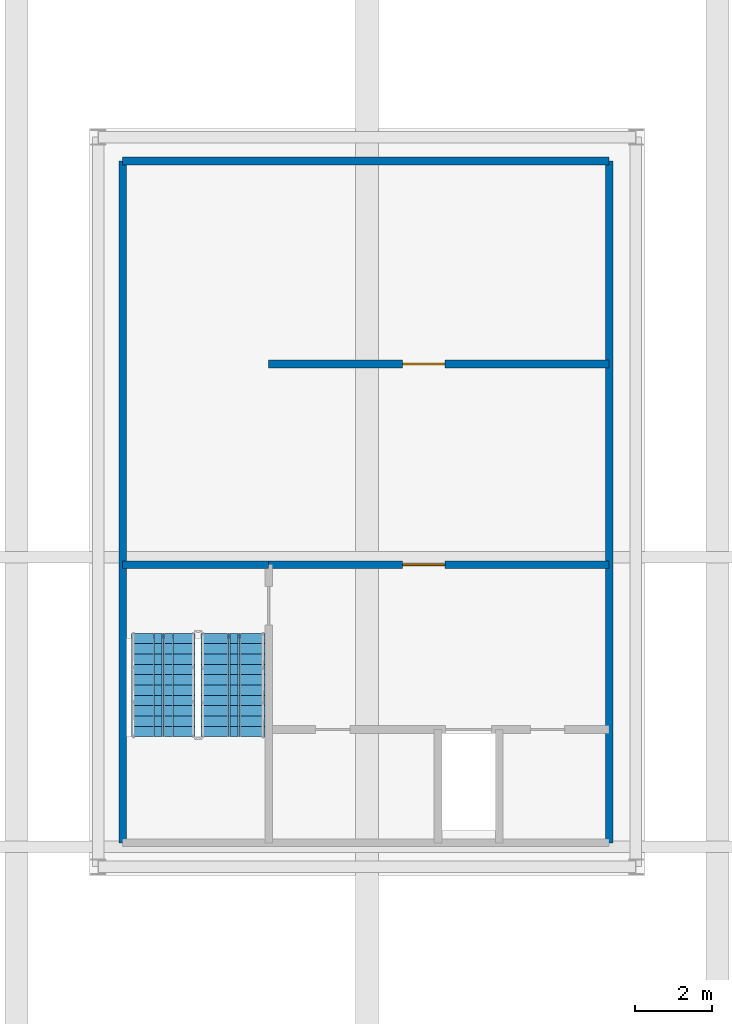
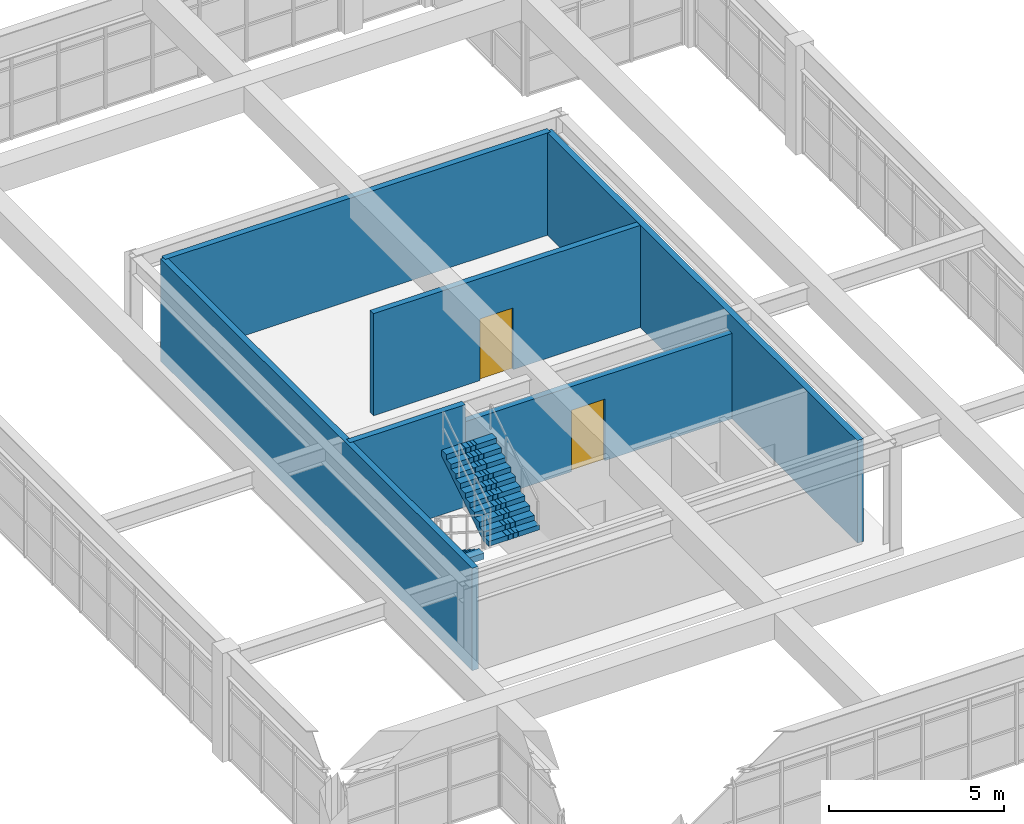
# One storey, part 27 of 28: 6 walls, 2 doors, 2 stair flights, 2 openings, 1 element without a shape of its own.
"""IFC4 building model written with IfcOpenShell, lengths in metres."""

from ifc_helpers import new_model, si_unit, direction, frame, frame_2d, origin, place, context, subcontext, project, spatial, polyline, rectangle, outline, extrude, source, transform, mapped, material, layer, layer_set, type_object, element, fill, aggregate, save


model = new_model("IFC4")

# Units and contexts
model_context = context("Model", 3, precision=1e-05, world=origin(), true_north=direction((0.0, 1.0)))
body_context = subcontext(model_context, "Body", "Model", "MODEL_VIEW")
ifc_project = project(units=[si_unit("LENGTHUNIT", "METRE"), si_unit("AREAUNIT", "SQUARE_METRE"), si_unit("VOLUMEUNIT", "CUBIC_METRE"), si_unit("PLANEANGLEUNIT", "RADIAN"), si_unit("MASSUNIT", "GRAM", prefix="KILO")], contexts=[model_context])

# Site, building, storey
site_placement = place(None, origin())
site = spatial("IfcSite", under=ifc_project, at=site_placement, CompositionType="ELEMENT")
building_placement = place(site_placement, origin())
building = spatial("IfcBuilding", under=site, at=building_placement, Name="Saelheon Loggia Tower", CompositionType="ELEMENT")
storey_placement = place(building_placement, frame((0.0, 0.0, 271.199951171875)))
storey = spatial("IfcBuildingStorey", under=building, at=storey_placement, Name="CR6", CompositionType="ELEMENT", Elevation=271.199951171875)

# Wall, opening, door
ifc_material_1 = material(Name="Concrete C40/50", Category="concrete")
ifc_layer_1 = layer(ifc_material_1, 0.199951171875)
ifc_layer_set_1 = layer_set([ifc_layer_1], Name="Concrete C40/50")
wall_type_1 = type_object("IfcWallType", Name="Wall_Shaft_200", PredefinedType="PARTITIONING", material=ifc_layer_set_1)
wall_1_placement = place(storey_placement, frame((35.429931640625, 30.60009765625, 0.0), z_axis=(0.0, 0.0, 1.0), x_axis=(1.0, 0.0, 0.0)))
wall_1 = element("IfcWall", 1, at=wall_1_placement, inside=storey, type_object=wall_type_1, Name="CR6 Damper Equipment Room Partition Wall", PredefinedType="PARTITIONING", context=body_context, shape_type="SweptSolid", body=[
    extrude(rectangle(XDim=8.89013671875, YDim=0.199951171875, at=frame_2d((4.445068359375, 0.0))), origin(), (0.0, 0.0, 1.0), 3.56005859375),
])
opening_1_placement = place(wall_1_placement, frame((3.5, 0.0, 0.0)))
opening_1 = element("IfcOpeningElement", 2, at=opening_1_placement, cuts=wall_1, Name="Opening D-FD2", PredefinedType="OPENING", context=body_context, shape_type="SweptSolid", body=[
    extrude(rectangle(XDim=1.10009765625, YDim=2.14990234375, at=frame_2d((0.550048828125, 1.074951171875))), frame((0.0, 0.112060546875, 0.0), z_axis=(0.0, -1.0, 0.0), x_axis=(1.0, 0.0, 0.0)), (0.0, 0.0, 1.0), 0.223876953125),
])
ifc_material_2 = material(Name="Galvanised Steel Fire Door", Category="steel")
door_type = type_object("IfcDoorType", Name="Door_Fire_FD60_1100", OperationType="NOTDEFINED", PredefinedType="DOOR", material=ifc_material_2)
shared_shape = source(origin(), body_context, "Body", "SweptSolid", [
    extrude(rectangle(XDim=1.10009765625, YDim=2.14990234375, at=frame_2d((0.550048828125, 1.074951171875))), frame((0.0, 0.02490234375, 0.0), z_axis=(0.0, -1.0, 0.0), x_axis=(1.0, 0.0, 0.0)), (0.0, 0.0, 1.0), 0.050048828125),
])
door_1_placement = place(opening_1_placement, origin())
door_1 = element("IfcDoor", 3, at=door_1_placement, inside=storey, type_object=door_type, Name="CR6 Damper Equipment Room Access Door", OperationType="SINGLE_SWING_LEFT", OverallHeight=2.14990234375, OverallWidth=1.10009765625, PredefinedType="DOOR", context=body_context, shape_type="MappedRepresentation", body=[
    mapped(shared_shape, transform((0.0, 0.0, 0.0), scale=1.0)),
])
fill(opening_1, door_1)

wall_2_placement = place(storey_placement, frame((35.429931640625, 25.360107421875, 0.0), z_axis=(0.0, 0.0, 1.0), x_axis=(1.0, 0.0, 0.0)))
wall_2 = element("IfcWall", 4, at=wall_2_placement, inside=storey, type_object=wall_type_1, Name="CR6 Service Lift Lobby North Wall", PredefinedType="PARTITIONING", context=body_context, shape_type="SweptSolid", body=[
    extrude(rectangle(XDim=8.89013671875, YDim=0.199951171875, at=frame_2d((4.445068359375, 0.0))), origin(), (0.0, 0.0, 1.0), 2.97216796875),
])
opening_2_placement = place(wall_2_placement, frame((3.5, 0.0, 0.0)))
opening_2 = element("IfcOpeningElement", 5, at=opening_2_placement, cuts=wall_2, Name="Opening D-FD2", PredefinedType="OPENING", context=body_context, shape_type="SweptSolid", body=[
    extrude(rectangle(XDim=1.10009765625, YDim=2.14990234375, at=frame_2d((0.550048828125, 1.074951171875))), frame((0.0, 0.112060546875, 0.0), z_axis=(0.0, -1.0, 0.0), x_axis=(1.0, 0.0, 0.0)), (0.0, 0.0, 1.0), 0.223876953125),
])
door_2_placement = place(opening_2_placement, origin())
door_2 = element("IfcDoor", 6, at=door_2_placement, inside=storey, type_object=door_type, Name="CR6 Crown Mechanical Room Door", OperationType="SINGLE_SWING_LEFT", OverallHeight=2.14990234375, OverallWidth=1.10009765625, PredefinedType="DOOR", context=body_context, shape_type="MappedRepresentation", body=[
    mapped(shared_shape, transform((0.0, 0.0, 0.0), scale=1.0)),
])
fill(opening_2, door_2)

# Walls
ifc_material_3 = material(Name="Concrete C45/55", Category="concrete")
ifc_layer_2 = layer(ifc_material_3, 0.199951171875)
ifc_layer_set_2 = layer_set([ifc_layer_2], Name="Concrete C45/55")
wall_type_2 = type_object("IfcWallType", Name="Wall_StairShaft_RC200", PredefinedType="SOLIDWALL", material=ifc_layer_set_2)
for number, where, z_axis, x_axis, name in (
    (7, (31.6201171875, 18.10009765625, 0.0), (0.0, 0.0, 1.0), (0.0, 1.0, 0.0), "CR6 Crown Core West Enclosure Wall"),
    (8, (44.320068359375, 18.10009765625, 0.0), (0.0, 0.0, 1.0), (0.0, 1.0, 0.0), "CR6 Crown Core East Enclosure Wall"),
):
    element("IfcWall", number, at=place(storey_placement, frame(where, z_axis=z_axis, x_axis=x_axis)), inside=storey, type_object=wall_type_2, Name=name, PredefinedType="SOLIDWALL", context=body_context, shape_type="SweptSolid", body=[
        extrude(rectangle(XDim=17.7998046875, YDim=0.199951171875, at=frame_2d((8.89990234375, 0.0))), origin(), (0.0, 0.0, 1.0), 3.570068359375),
    ])
wall_3_placement = place(storey_placement, frame((31.6201171875, 35.89990234375, 0.0), z_axis=(0.0, 0.0, 1.0), x_axis=(1.0, 0.0, 0.0)))
element("IfcWall", 9, at=wall_3_placement, inside=storey, type_object=wall_type_2, Name="CR6 Crown Core North Enclosure Wall", PredefinedType="SOLIDWALL", context=body_context, shape_type="SweptSolid", body=[
    extrude(rectangle(XDim=12.699951171875, YDim=0.199951171875, at=frame_2d((6.35009765625, 0.0))), origin(), (0.0, 0.0, 1.0), 3.570068359375),
])
wall_4_placement = place(storey_placement, frame((31.6201171875, 25.360107421875, 0.0), z_axis=(0.0, 0.0, 1.0), x_axis=(1.0, 0.0, 0.0)))
element("IfcWall", 10, at=wall_4_placement, inside=storey, type_object=wall_type_2, Name="CR6 ST5 Shaft North Wall", PredefinedType="SOLIDWALL", context=body_context, shape_type="SweptSolid", body=[
    extrude(rectangle(XDim=3.809814453125, YDim=0.199951171875, at=frame_2d((1.90478515625, 0.0))), origin(), (0.0, 0.0, 1.0), 3.570068359375),
])

# Stair, stair flights
stair_type = type_object("IfcStairType", Name="Stair_Plant_Crown", PredefinedType="HALF_TURN_STAIR", material=ifc_material_1)
stair_placement = place(storey_placement, origin())
stair = element("IfcStair", 11, at=stair_placement, inside=storey, type_object=stair_type, Name="CR6 Crown Plant Stair ST5", PredefinedType="HALF_TURN_STAIR")
stair_flight_type = type_object("IfcStairFlightType", Name="StairFlight_Crown_1520", PredefinedType="STRAIGHT", material=ifc_material_1)
stair_flight_1_placement = place(storey_placement, frame((32.679931640625, 23.570068359375, 0.0), z_axis=(0.0, 0.0, 1.0), x_axis=(0.0, -1.0, 0.0)))
stair_flight_1 = element("IfcStairFlight", 12, at=stair_flight_1_placement, type_object=stair_flight_type, Name="ST5 flight 1", NumberOfRisers=11, NumberOfTreads=10, PredefinedType="STRAIGHT", RiserHeight=0.172727273, TreadLength=0.27, context=body_context, shape_type="SweptSolid", body=[
    extrude(outline(polyline([(0.0, 0.0), (0.0, 0.172607421875), (0.27001953125, 0.172607421875), (0.27001953125, 0.345458984375), (0.5400390625, 0.345458984375), (0.5400390625, 0.51806640625), (0.81005859375, 0.51806640625), (0.81005859375, 0.69091796875), (1.080078125, 0.69091796875), (1.080078125, 0.863525390625), (1.35009765625, 0.863525390625), (1.35009765625, 1.036376953125), (1.6201171875, 1.036376953125), (1.6201171875, 1.208984375), (1.889892578125, 1.208984375), (1.889892578125, 1.3818359375), (2.159912109375, 1.3818359375), (2.159912109375, 1.554443359375), (2.429931640625, 1.554443359375), (2.429931640625, 1.727294921875), (2.699951171875, 1.727294921875), (2.699951171875, 1.89990234375), (2.699951171875, 1.513671875), (0.333984375, 0.0), (0.0, 0.0)])), frame((0.0, -0.2490234375, 0.0), z_axis=(0.0, -1.0, 0.0), x_axis=(1.0, 0.0, 0.0)), (0.0, 0.0, 1.0), 0.5810546875),
    extrude(outline(polyline([(0.0, 0.0), (0.0, 0.172607421875), (0.27001953125, 0.172607421875), (0.27001953125, 0.345458984375), (0.5400390625, 0.345458984375), (0.5400390625, 0.51806640625), (0.81005859375, 0.51806640625), (0.81005859375, 0.69091796875), (1.080078125, 0.69091796875), (1.080078125, 0.863525390625), (1.35009765625, 0.863525390625), (1.35009765625, 1.036376953125), (1.6201171875, 1.036376953125), (1.6201171875, 1.208984375), (1.889892578125, 1.208984375), (1.889892578125, 1.3818359375), (2.159912109375, 1.3818359375), (2.159912109375, 1.554443359375), (2.429931640625, 1.554443359375), (2.429931640625, 1.727294921875), (2.699951171875, 1.727294921875), (2.699951171875, 1.89990234375), (2.699951171875, 1.513671875), (0.333984375, 0.0), (0.0, 0.0)])), frame((0.0, -0.194091796875, 0.0), z_axis=(0.0, -1.0, 0.0), x_axis=(1.0, 0.0, 0.0)), (0.0, 0.0, 1.0), 0.0498046875),
    extrude(outline(polyline([(0.0, 0.0), (0.0, 0.172607421875), (0.27001953125, 0.172607421875), (0.27001953125, 0.345458984375), (0.5400390625, 0.345458984375), (0.5400390625, 0.51806640625), (0.81005859375, 0.51806640625), (0.81005859375, 0.69091796875), (1.080078125, 0.69091796875), (1.080078125, 0.863525390625), (1.35009765625, 0.863525390625), (1.35009765625, 1.036376953125), (1.6201171875, 1.036376953125), (1.6201171875, 1.208984375), (1.889892578125, 1.208984375), (1.889892578125, 1.3818359375), (2.159912109375, 1.3818359375), (2.159912109375, 1.554443359375), (2.429931640625, 1.554443359375), (2.429931640625, 1.727294921875), (2.699951171875, 1.727294921875), (2.699951171875, 1.89990234375), (2.699951171875, 1.513671875), (0.333984375, 0.0), (0.0, 0.0)])), frame((0.0, -0.139404296875, 0.0), z_axis=(0.0, -1.0, 0.0), x_axis=(1.0, 0.0, 0.0)), (0.0, 0.0, 1.0), 0.0498046875),
    extrude(outline(polyline([(0.0, 0.0), (0.0, 0.172607421875), (0.27001953125, 0.172607421875), (0.27001953125, 0.345458984375), (0.5400390625, 0.345458984375), (0.5400390625, 0.51806640625), (0.81005859375, 0.51806640625), (0.81005859375, 0.69091796875), (1.080078125, 0.69091796875), (1.080078125, 0.863525390625), (1.35009765625, 0.863525390625), (1.35009765625, 1.036376953125), (1.6201171875, 1.036376953125), (1.6201171875, 1.208984375), (1.889892578125, 1.208984375), (1.889892578125, 1.3818359375), (2.159912109375, 1.3818359375), (2.159912109375, 1.554443359375), (2.429931640625, 1.554443359375), (2.429931640625, 1.727294921875), (2.699951171875, 1.727294921875), (2.699951171875, 1.89990234375), (2.699951171875, 1.513671875), (0.333984375, 0.0), (0.0, 0.0)])), frame((0.0, -0.084716796875, 0.0), z_axis=(0.0, -1.0, 0.0), x_axis=(1.0, 0.0, 0.0)), (0.0, 0.0, 1.0), 0.0498046875),
    extrude(outline(polyline([(0.0, 0.0), (0.0, 0.172607421875), (0.27001953125, 0.172607421875), (0.27001953125, 0.345458984375), (0.5400390625, 0.345458984375), (0.5400390625, 0.51806640625), (0.81005859375, 0.51806640625), (0.81005859375, 0.69091796875), (1.080078125, 0.69091796875), (1.080078125, 0.863525390625), (1.35009765625, 0.863525390625), (1.35009765625, 1.036376953125), (1.6201171875, 1.036376953125), (1.6201171875, 1.208984375), (1.889892578125, 1.208984375), (1.889892578125, 1.3818359375), (2.159912109375, 1.3818359375), (2.159912109375, 1.554443359375), (2.429931640625, 1.554443359375), (2.429931640625, 1.727294921875), (2.699951171875, 1.727294921875), (2.699951171875, 1.89990234375), (2.699951171875, 1.513671875), (0.333984375, 0.0), (0.0, 0.0)])), frame((0.0, -0.02978515625, 0.0), z_axis=(0.0, -1.0, 0.0), x_axis=(1.0, 0.0, 0.0)), (0.0, 0.0, 1.0), 0.0498046875),
    extrude(outline(polyline([(0.0, 0.0), (0.0, 0.172607421875), (0.27001953125, 0.172607421875), (0.27001953125, 0.345458984375), (0.5400390625, 0.345458984375), (0.5400390625, 0.51806640625), (0.81005859375, 0.51806640625), (0.81005859375, 0.69091796875), (1.080078125, 0.69091796875), (1.080078125, 0.863525390625), (1.35009765625, 0.863525390625), (1.35009765625, 1.036376953125), (1.6201171875, 1.036376953125), (1.6201171875, 1.208984375), (1.889892578125, 1.208984375), (1.889892578125, 1.3818359375), (2.159912109375, 1.3818359375), (2.159912109375, 1.554443359375), (2.429931640625, 1.554443359375), (2.429931640625, 1.727294921875), (2.699951171875, 1.727294921875), (2.699951171875, 1.89990234375), (2.699951171875, 1.513671875), (0.333984375, 0.0), (0.0, 0.0)])), frame((0.0, 0.02490234375, 0.0), z_axis=(0.0, -1.0, 0.0), x_axis=(1.0, 0.0, 0.0)), (0.0, 0.0, 1.0), 0.0498046875),
    extrude(outline(polyline([(0.0, 0.0), (0.0, 0.172607421875), (0.27001953125, 0.172607421875), (0.27001953125, 0.345458984375), (0.5400390625, 0.345458984375), (0.5400390625, 0.51806640625), (0.81005859375, 0.51806640625), (0.81005859375, 0.69091796875), (1.080078125, 0.69091796875), (1.080078125, 0.863525390625), (1.35009765625, 0.863525390625), (1.35009765625, 1.036376953125), (1.6201171875, 1.036376953125), (1.6201171875, 1.208984375), (1.889892578125, 1.208984375), (1.889892578125, 1.3818359375), (2.159912109375, 1.3818359375), (2.159912109375, 1.554443359375), (2.429931640625, 1.554443359375), (2.429931640625, 1.727294921875), (2.699951171875, 1.727294921875), (2.699951171875, 1.89990234375), (2.699951171875, 1.513671875), (0.333984375, 0.0), (0.0, 0.0)])), frame((0.0, 0.07958984375, 0.0), z_axis=(0.0, -1.0, 0.0), x_axis=(1.0, 0.0, 0.0)), (0.0, 0.0, 1.0), 0.0498046875),
    extrude(outline(polyline([(0.0, 0.0), (0.0, 0.172607421875), (0.27001953125, 0.172607421875), (0.27001953125, 0.345458984375), (0.5400390625, 0.345458984375), (0.5400390625, 0.51806640625), (0.81005859375, 0.51806640625), (0.81005859375, 0.69091796875), (1.080078125, 0.69091796875), (1.080078125, 0.863525390625), (1.35009765625, 0.863525390625), (1.35009765625, 1.036376953125), (1.6201171875, 1.036376953125), (1.6201171875, 1.208984375), (1.889892578125, 1.208984375), (1.889892578125, 1.3818359375), (2.159912109375, 1.3818359375), (2.159912109375, 1.554443359375), (2.429931640625, 1.554443359375), (2.429931640625, 1.727294921875), (2.699951171875, 1.727294921875), (2.699951171875, 1.89990234375), (2.699951171875, 1.513671875), (0.333984375, 0.0), (0.0, 0.0)])), frame((0.0, 0.134521484375, 0.0), z_axis=(0.0, -1.0, 0.0), x_axis=(1.0, 0.0, 0.0)), (0.0, 0.0, 1.0), 0.0498046875),
    extrude(outline(polyline([(0.0, 0.0), (0.0, 0.172607421875), (0.27001953125, 0.172607421875), (0.27001953125, 0.345458984375), (0.5400390625, 0.345458984375), (0.5400390625, 0.51806640625), (0.81005859375, 0.51806640625), (0.81005859375, 0.69091796875), (1.080078125, 0.69091796875), (1.080078125, 0.863525390625), (1.35009765625, 0.863525390625), (1.35009765625, 1.036376953125), (1.6201171875, 1.036376953125), (1.6201171875, 1.208984375), (1.889892578125, 1.208984375), (1.889892578125, 1.3818359375), (2.159912109375, 1.3818359375), (2.159912109375, 1.554443359375), (2.429931640625, 1.554443359375), (2.429931640625, 1.727294921875), (2.699951171875, 1.727294921875), (2.699951171875, 1.89990234375), (2.699951171875, 1.513671875), (0.333984375, 0.0), (0.0, 0.0)])), frame((0.0, 0.189208984375, 0.0), z_axis=(0.0, -1.0, 0.0), x_axis=(1.0, 0.0, 0.0)), (0.0, 0.0, 1.0), 0.0498046875),
    extrude(outline(polyline([(0.0, 0.0), (0.0, 0.172607421875), (0.27001953125, 0.172607421875), (0.27001953125, 0.345458984375), (0.5400390625, 0.345458984375), (0.5400390625, 0.51806640625), (0.81005859375, 0.51806640625), (0.81005859375, 0.69091796875), (1.080078125, 0.69091796875), (1.080078125, 0.863525390625), (1.35009765625, 0.863525390625), (1.35009765625, 1.036376953125), (1.6201171875, 1.036376953125), (1.6201171875, 1.208984375), (1.889892578125, 1.208984375), (1.889892578125, 1.3818359375), (2.159912109375, 1.3818359375), (2.159912109375, 1.554443359375), (2.429931640625, 1.554443359375), (2.429931640625, 1.727294921875), (2.699951171875, 1.727294921875), (2.699951171875, 1.89990234375), (2.699951171875, 1.513671875), (0.333984375, 0.0), (0.0, 0.0)])), frame((0.0, 0.243896484375, 0.0), z_axis=(0.0, -1.0, 0.0), x_axis=(1.0, 0.0, 0.0)), (0.0, 0.0, 1.0), 0.0498046875),
    extrude(outline(polyline([(0.0, 0.0), (0.0, 0.172607421875), (0.27001953125, 0.172607421875), (0.27001953125, 0.345458984375), (0.5400390625, 0.345458984375), (0.5400390625, 0.51806640625), (0.81005859375, 0.51806640625), (0.81005859375, 0.69091796875), (1.080078125, 0.69091796875), (1.080078125, 0.863525390625), (1.35009765625, 0.863525390625), (1.35009765625, 1.036376953125), (1.6201171875, 1.036376953125), (1.6201171875, 1.208984375), (1.889892578125, 1.208984375), (1.889892578125, 1.3818359375), (2.159912109375, 1.3818359375), (2.159912109375, 1.554443359375), (2.429931640625, 1.554443359375), (2.429931640625, 1.727294921875), (2.699951171875, 1.727294921875), (2.699951171875, 1.89990234375), (2.699951171875, 1.513671875), (0.333984375, 0.0), (0.0, 0.0)])), frame((0.0, 0.830078125, 0.0), z_axis=(0.0, -1.0, 0.0), x_axis=(1.0, 0.0, 0.0)), (0.0, 0.0, 1.0), 0.5810546875),
])
stair_flight_2_placement = place(storey_placement, frame((34.5, 20.8701171875, 1.900146484375), z_axis=(0.0, 0.0, 1.0), x_axis=(0.0, 1.0, 0.0)))
stair_flight_2 = element("IfcStairFlight", 13, at=stair_flight_2_placement, type_object=stair_flight_type, Name="ST5 flight 2", NumberOfRisers=11, NumberOfTreads=10, PredefinedType="STRAIGHT", RiserHeight=0.172727273, TreadLength=0.27, context=body_context, shape_type="SweptSolid", body=[
    extrude(outline(polyline([(0.0, 0.0), (0.0, 0.172607421875), (0.27001953125, 0.172607421875), (0.27001953125, 0.345458984375), (0.5400390625, 0.345458984375), (0.5400390625, 0.51806640625), (0.81005859375, 0.51806640625), (0.81005859375, 0.69091796875), (1.080078125, 0.69091796875), (1.080078125, 0.863525390625), (1.35009765625, 0.863525390625), (1.35009765625, 1.036376953125), (1.6201171875, 1.036376953125), (1.6201171875, 1.208984375), (1.889892578125, 1.208984375), (1.889892578125, 1.3818359375), (2.159912109375, 1.3818359375), (2.159912109375, 1.554443359375), (2.429931640625, 1.554443359375), (2.429931640625, 1.727294921875), (2.699951171875, 1.727294921875), (2.699951171875, 1.89990234375), (2.699951171875, 1.513671875), (0.333984375, 0.0), (0.0, 0.0)])), frame((0.0, -0.2490234375, 0.0), z_axis=(0.0, -1.0, 0.0), x_axis=(1.0, 0.0, 0.0)), (0.0, 0.0, 1.0), 0.5810546875),
    extrude(outline(polyline([(0.0, 0.0), (0.0, 0.172607421875), (0.27001953125, 0.172607421875), (0.27001953125, 0.345458984375), (0.5400390625, 0.345458984375), (0.5400390625, 0.51806640625), (0.81005859375, 0.51806640625), (0.81005859375, 0.69091796875), (1.080078125, 0.69091796875), (1.080078125, 0.863525390625), (1.35009765625, 0.863525390625), (1.35009765625, 1.036376953125), (1.6201171875, 1.036376953125), (1.6201171875, 1.208984375), (1.889892578125, 1.208984375), (1.889892578125, 1.3818359375), (2.159912109375, 1.3818359375), (2.159912109375, 1.554443359375), (2.429931640625, 1.554443359375), (2.429931640625, 1.727294921875), (2.699951171875, 1.727294921875), (2.699951171875, 1.89990234375), (2.699951171875, 1.513671875), (0.333984375, 0.0), (0.0, 0.0)])), frame((0.0, -0.194091796875, 0.0), z_axis=(0.0, -1.0, 0.0), x_axis=(1.0, 0.0, 0.0)), (0.0, 0.0, 1.0), 0.0498046875),
    extrude(outline(polyline([(0.0, 0.0), (0.0, 0.172607421875), (0.27001953125, 0.172607421875), (0.27001953125, 0.345458984375), (0.5400390625, 0.345458984375), (0.5400390625, 0.51806640625), (0.81005859375, 0.51806640625), (0.81005859375, 0.69091796875), (1.080078125, 0.69091796875), (1.080078125, 0.863525390625), (1.35009765625, 0.863525390625), (1.35009765625, 1.036376953125), (1.6201171875, 1.036376953125), (1.6201171875, 1.208984375), (1.889892578125, 1.208984375), (1.889892578125, 1.3818359375), (2.159912109375, 1.3818359375), (2.159912109375, 1.554443359375), (2.429931640625, 1.554443359375), (2.429931640625, 1.727294921875), (2.699951171875, 1.727294921875), (2.699951171875, 1.89990234375), (2.699951171875, 1.513671875), (0.333984375, 0.0), (0.0, 0.0)])), frame((0.0, -0.139404296875, 0.0), z_axis=(0.0, -1.0, 0.0), x_axis=(1.0, 0.0, 0.0)), (0.0, 0.0, 1.0), 0.0498046875),
    extrude(outline(polyline([(0.0, 0.0), (0.0, 0.172607421875), (0.27001953125, 0.172607421875), (0.27001953125, 0.345458984375), (0.5400390625, 0.345458984375), (0.5400390625, 0.51806640625), (0.81005859375, 0.51806640625), (0.81005859375, 0.69091796875), (1.080078125, 0.69091796875), (1.080078125, 0.863525390625), (1.35009765625, 0.863525390625), (1.35009765625, 1.036376953125), (1.6201171875, 1.036376953125), (1.6201171875, 1.208984375), (1.889892578125, 1.208984375), (1.889892578125, 1.3818359375), (2.159912109375, 1.3818359375), (2.159912109375, 1.554443359375), (2.429931640625, 1.554443359375), (2.429931640625, 1.727294921875), (2.699951171875, 1.727294921875), (2.699951171875, 1.89990234375), (2.699951171875, 1.513671875), (0.333984375, 0.0), (0.0, 0.0)])), frame((0.0, -0.084716796875, 0.0), z_axis=(0.0, -1.0, 0.0), x_axis=(1.0, 0.0, 0.0)), (0.0, 0.0, 1.0), 0.0498046875),
    extrude(outline(polyline([(0.0, 0.0), (0.0, 0.172607421875), (0.27001953125, 0.172607421875), (0.27001953125, 0.345458984375), (0.5400390625, 0.345458984375), (0.5400390625, 0.51806640625), (0.81005859375, 0.51806640625), (0.81005859375, 0.69091796875), (1.080078125, 0.69091796875), (1.080078125, 0.863525390625), (1.35009765625, 0.863525390625), (1.35009765625, 1.036376953125), (1.6201171875, 1.036376953125), (1.6201171875, 1.208984375), (1.889892578125, 1.208984375), (1.889892578125, 1.3818359375), (2.159912109375, 1.3818359375), (2.159912109375, 1.554443359375), (2.429931640625, 1.554443359375), (2.429931640625, 1.727294921875), (2.699951171875, 1.727294921875), (2.699951171875, 1.89990234375), (2.699951171875, 1.513671875), (0.333984375, 0.0), (0.0, 0.0)])), frame((0.0, -0.02978515625, 0.0), z_axis=(0.0, -1.0, 0.0), x_axis=(1.0, 0.0, 0.0)), (0.0, 0.0, 1.0), 0.0498046875),
    extrude(outline(polyline([(0.0, 0.0), (0.0, 0.172607421875), (0.27001953125, 0.172607421875), (0.27001953125, 0.345458984375), (0.5400390625, 0.345458984375), (0.5400390625, 0.51806640625), (0.81005859375, 0.51806640625), (0.81005859375, 0.69091796875), (1.080078125, 0.69091796875), (1.080078125, 0.863525390625), (1.35009765625, 0.863525390625), (1.35009765625, 1.036376953125), (1.6201171875, 1.036376953125), (1.6201171875, 1.208984375), (1.889892578125, 1.208984375), (1.889892578125, 1.3818359375), (2.159912109375, 1.3818359375), (2.159912109375, 1.554443359375), (2.429931640625, 1.554443359375), (2.429931640625, 1.727294921875), (2.699951171875, 1.727294921875), (2.699951171875, 1.89990234375), (2.699951171875, 1.513671875), (0.333984375, 0.0), (0.0, 0.0)])), frame((0.0, 0.02490234375, 0.0), z_axis=(0.0, -1.0, 0.0), x_axis=(1.0, 0.0, 0.0)), (0.0, 0.0, 1.0), 0.0498046875),
    extrude(outline(polyline([(0.0, 0.0), (0.0, 0.172607421875), (0.27001953125, 0.172607421875), (0.27001953125, 0.345458984375), (0.5400390625, 0.345458984375), (0.5400390625, 0.51806640625), (0.81005859375, 0.51806640625), (0.81005859375, 0.69091796875), (1.080078125, 0.69091796875), (1.080078125, 0.863525390625), (1.35009765625, 0.863525390625), (1.35009765625, 1.036376953125), (1.6201171875, 1.036376953125), (1.6201171875, 1.208984375), (1.889892578125, 1.208984375), (1.889892578125, 1.3818359375), (2.159912109375, 1.3818359375), (2.159912109375, 1.554443359375), (2.429931640625, 1.554443359375), (2.429931640625, 1.727294921875), (2.699951171875, 1.727294921875), (2.699951171875, 1.89990234375), (2.699951171875, 1.513671875), (0.333984375, 0.0), (0.0, 0.0)])), frame((0.0, 0.07958984375, 0.0), z_axis=(0.0, -1.0, 0.0), x_axis=(1.0, 0.0, 0.0)), (0.0, 0.0, 1.0), 0.0498046875),
    extrude(outline(polyline([(0.0, 0.0), (0.0, 0.172607421875), (0.27001953125, 0.172607421875), (0.27001953125, 0.345458984375), (0.5400390625, 0.345458984375), (0.5400390625, 0.51806640625), (0.81005859375, 0.51806640625), (0.81005859375, 0.69091796875), (1.080078125, 0.69091796875), (1.080078125, 0.863525390625), (1.35009765625, 0.863525390625), (1.35009765625, 1.036376953125), (1.6201171875, 1.036376953125), (1.6201171875, 1.208984375), (1.889892578125, 1.208984375), (1.889892578125, 1.3818359375), (2.159912109375, 1.3818359375), (2.159912109375, 1.554443359375), (2.429931640625, 1.554443359375), (2.429931640625, 1.727294921875), (2.699951171875, 1.727294921875), (2.699951171875, 1.89990234375), (2.699951171875, 1.513671875), (0.333984375, 0.0), (0.0, 0.0)])), frame((0.0, 0.134521484375, 0.0), z_axis=(0.0, -1.0, 0.0), x_axis=(1.0, 0.0, 0.0)), (0.0, 0.0, 1.0), 0.0498046875),
    extrude(outline(polyline([(0.0, 0.0), (0.0, 0.172607421875), (0.27001953125, 0.172607421875), (0.27001953125, 0.345458984375), (0.5400390625, 0.345458984375), (0.5400390625, 0.51806640625), (0.81005859375, 0.51806640625), (0.81005859375, 0.69091796875), (1.080078125, 0.69091796875), (1.080078125, 0.863525390625), (1.35009765625, 0.863525390625), (1.35009765625, 1.036376953125), (1.6201171875, 1.036376953125), (1.6201171875, 1.208984375), (1.889892578125, 1.208984375), (1.889892578125, 1.3818359375), (2.159912109375, 1.3818359375), (2.159912109375, 1.554443359375), (2.429931640625, 1.554443359375), (2.429931640625, 1.727294921875), (2.699951171875, 1.727294921875), (2.699951171875, 1.89990234375), (2.699951171875, 1.513671875), (0.333984375, 0.0), (0.0, 0.0)])), frame((0.0, 0.189208984375, 0.0), z_axis=(0.0, -1.0, 0.0), x_axis=(1.0, 0.0, 0.0)), (0.0, 0.0, 1.0), 0.0498046875),
    extrude(outline(polyline([(0.0, 0.0), (0.0, 0.172607421875), (0.27001953125, 0.172607421875), (0.27001953125, 0.345458984375), (0.5400390625, 0.345458984375), (0.5400390625, 0.51806640625), (0.81005859375, 0.51806640625), (0.81005859375, 0.69091796875), (1.080078125, 0.69091796875), (1.080078125, 0.863525390625), (1.35009765625, 0.863525390625), (1.35009765625, 1.036376953125), (1.6201171875, 1.036376953125), (1.6201171875, 1.208984375), (1.889892578125, 1.208984375), (1.889892578125, 1.3818359375), (2.159912109375, 1.3818359375), (2.159912109375, 1.554443359375), (2.429931640625, 1.554443359375), (2.429931640625, 1.727294921875), (2.699951171875, 1.727294921875), (2.699951171875, 1.89990234375), (2.699951171875, 1.513671875), (0.333984375, 0.0), (0.0, 0.0)])), frame((0.0, 0.243896484375, 0.0), z_axis=(0.0, -1.0, 0.0), x_axis=(1.0, 0.0, 0.0)), (0.0, 0.0, 1.0), 0.0498046875),
    extrude(outline(polyline([(0.0, 0.0), (0.0, 0.172607421875), (0.27001953125, 0.172607421875), (0.27001953125, 0.345458984375), (0.5400390625, 0.345458984375), (0.5400390625, 0.51806640625), (0.81005859375, 0.51806640625), (0.81005859375, 0.69091796875), (1.080078125, 0.69091796875), (1.080078125, 0.863525390625), (1.35009765625, 0.863525390625), (1.35009765625, 1.036376953125), (1.6201171875, 1.036376953125), (1.6201171875, 1.208984375), (1.889892578125, 1.208984375), (1.889892578125, 1.3818359375), (2.159912109375, 1.3818359375), (2.159912109375, 1.554443359375), (2.429931640625, 1.554443359375), (2.429931640625, 1.727294921875), (2.699951171875, 1.727294921875), (2.699951171875, 1.89990234375), (2.699951171875, 1.513671875), (0.333984375, 0.0), (0.0, 0.0)])), frame((0.0, 0.830078125, 0.0), z_axis=(0.0, -1.0, 0.0), x_axis=(1.0, 0.0, 0.0)), (0.0, 0.0, 1.0), 0.5810546875),
])
aggregate(stair, [stair_flight_1, stair_flight_2])

save(model, "model.ifc")
